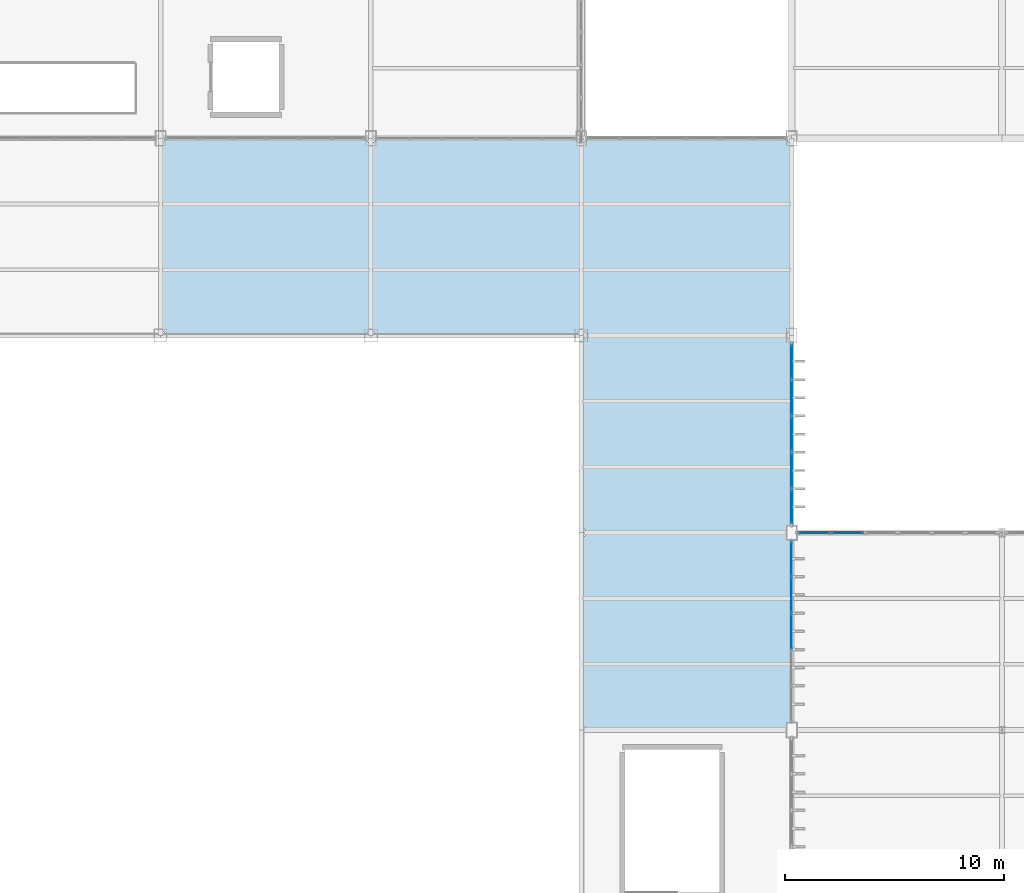
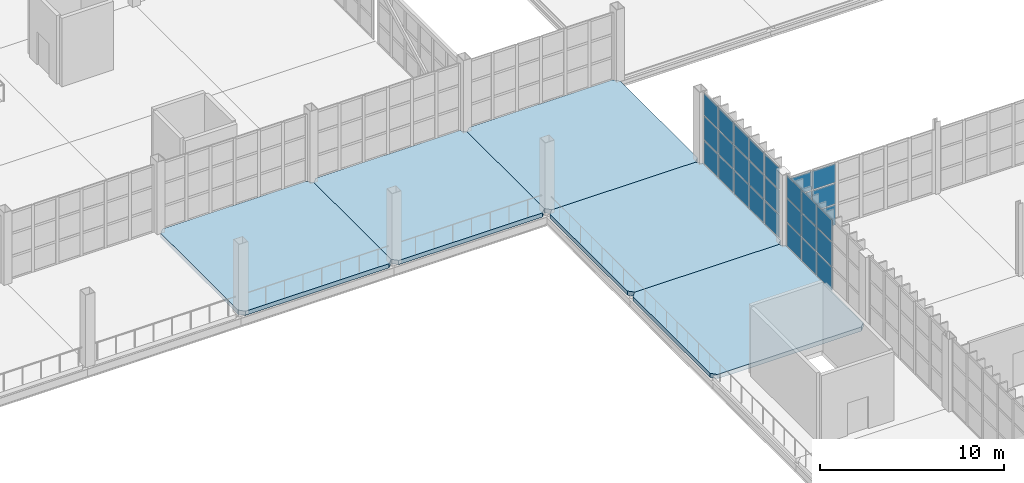
# One storey, part 80 of 120: 30 plates, 5 slabs, 3 elements without a shape of their own.
"""IFC4 building model written with IfcOpenShell, lengths in metres."""

import ifcopenshell
import ifcopenshell.guid

model = None  # the IFC model being written
_history = None  # IfcOwnerHistory: only IFC2X3 demands one
_inside = {}  # id of a spatial element -> (the spatial element, [elements in it])
_under = {}  # id of a project, library or spatial element -> (it, [spatial elements below it])
_declared = {}  # id of a project -> (the project, [libraries it declares])
_typed = {}  # id of a type object -> (the type object, [elements of that type])
_made_of = {}  # id of a material, layer set ... -> (it, [elements and type objects made of it])


def new_model(schema):
    """Start an empty IFC model of exactly this schema.

    Asked for "IFC4X3", IfcOpenShell would pick the latest addendum, in which some entities
    have other attributes; the version numbers below select the first issue.
    IFC2X3 requires an IfcOwnerHistory on every rooted entity: one is made here for all.
    """
    global model, _history
    if schema == "IFC4X3":
        model = ifcopenshell.file(schema_version=(4, 3, 0, 0))
    else:
        model = ifcopenshell.file(schema=schema)
    _inside.clear()
    _under.clear()
    _declared.clear()
    _typed.clear()
    _made_of.clear()
    _history = None
    if model.schema == "IFC2X3":
        org = make("IfcOrganization", Name="unknown")
        user = make(
            "IfcPersonAndOrganization",
            ThePerson=make("IfcPerson", FamilyName="unknown"),
            TheOrganization=org,
        )
        app = make(
            "IfcApplication",
            ApplicationDeveloper=org,
            Version="unknown",
            ApplicationFullName="unknown",
            ApplicationIdentifier="unknown",
        )
        _history = make(
            "IfcOwnerHistory",
            OwningUser=user,
            OwningApplication=app,
            ChangeAction="ADDED",
            CreationDate=0,
        )
    return model


def make(cls, **values):
    """One entity of the class cls with the attributes given. An attribute that is None is left unset."""
    return model.create_entity(
        cls, **{name: value for name, value in values.items() if value is not None}
    )


def rooted(cls, **values):
    """An entity with a GlobalId (a new one), such as an element, a storey or a relation."""
    return make(cls, GlobalId=ifcopenshell.guid.new(), OwnerHistory=_history, **values)


def si_unit(unit_type, name, prefix=None):
    """IfcSIUnit, for example si_unit("LENGTHUNIT", "METRE", prefix="MILLI")."""
    return make("IfcSIUnit", UnitType=unit_type, Prefix=prefix, Name=name)


def assignment(units):
    """IfcUnitAssignment: the units of a project."""
    return None if units is None else make("IfcUnitAssignment", Units=units)


def point(xyz):
    """IfcCartesianPoint."""
    return None if xyz is None else make("IfcCartesianPoint", Coordinates=xyz)


def direction(xyz):
    """IfcDirection."""
    return None if xyz is None else make("IfcDirection", DirectionRatios=xyz)


def frame(location, z_axis=None, x_axis=None):
    """IfcAxis2Placement3D, a coordinate frame: its origin and axes. An axis left out is left unset."""
    return make(
        "IfcAxis2Placement3D",
        Location=point(location),
        Axis=direction(z_axis),
        RefDirection=direction(x_axis),
    )


def frame_2d(location, x_axis=None):
    """IfcAxis2Placement2D, a coordinate frame in the plane: its origin and x axis."""
    return make(
        "IfcAxis2Placement2D", Location=point(location), RefDirection=direction(x_axis)
    )


def origin():
    """The frame at (0, 0, 0) with its axes left unset."""
    return frame((0.0, 0.0, 0.0))


def origin_2d():
    """The frame at (0, 0) in the plane with its x axis left unset."""
    return frame_2d((0.0, 0.0))


def place(relative_to, where):
    """IfcLocalPlacement: puts the frame where relative to a parent placement (None: the world)."""
    return make(
        "IfcLocalPlacement", PlacementRelTo=relative_to, RelativePlacement=where
    )


def context(
    kind, dimensions, precision=None, world=None, true_north=None, identifier=None
):
    """IfcGeometricRepresentationContext, for example the 3D "Model" context."""
    return make(
        "IfcGeometricRepresentationContext",
        ContextIdentifier=identifier,
        ContextType=kind,
        CoordinateSpaceDimension=dimensions,
        Precision=precision,
        WorldCoordinateSystem=world,
        TrueNorth=true_north,
    )


def subcontext(parent, identifier, kind, view, scale=None):
    """IfcGeometricRepresentationSubContext, for example "Body" below "Model"."""
    return make(
        "IfcGeometricRepresentationSubContext",
        ContextIdentifier=identifier,
        ContextType=kind,
        ParentContext=parent,
        TargetScale=scale,
        TargetView=view,
    )


def project(units=None, contexts=None):
    """IfcProject with its units and contexts."""
    return rooted(
        "IfcProject",
        Name="project",
        RepresentationContexts=contexts,
        UnitsInContext=assignment(units),
    )


def spatial(cls, under=None, at=None, **own):
    """A site, building, storey or space (cls), placed at a placement, below another one or the project."""
    s = rooted(cls, ObjectPlacement=at, **own)
    if under is not None:
        _under.setdefault(under.id(), (under, []))[1].append(s)
    return s


def polyline(points):
    """IfcPolyline through the points."""
    return make("IfcPolyline", Points=[point(p) for p in points])


def profile(cls, at=None, kind="AREA", **sizes):
    """A parametric profile (cls). Its sizes go by their IFC names, for example OverallWidth=200.0."""
    return make(cls, ProfileType=kind, Position=at, **sizes)


def rectangle(**sizes):
    """IfcRectangleProfileDef."""
    return profile("IfcRectangleProfileDef", **sizes)


def outline(outer, holes=None, kind="AREA"):
    """IfcArbitraryClosedProfileDef: a profile drawn as a closed curve; with holes, ...WithVoids."""
    if holes is None:
        return make("IfcArbitraryClosedProfileDef", ProfileType=kind, OuterCurve=outer)
    return make(
        "IfcArbitraryProfileDefWithVoids",
        ProfileType=kind,
        OuterCurve=outer,
        InnerCurves=holes,
    )


def extrude(swept, where, along, depth):
    """IfcExtrudedAreaSolid: the profile swept, set in the frame where, extruded along a direction by depth."""
    return make(
        "IfcExtrudedAreaSolid",
        SweptArea=swept,
        Position=where,
        ExtrudedDirection=direction(along),
        Depth=depth,
    )


def shape(context_of_items, identifier, shape_type, items):
    """IfcShapeRepresentation: the items that make up one representation, for example the "Body"."""
    return make(
        "IfcShapeRepresentation",
        ContextOfItems=context_of_items,
        RepresentationIdentifier=identifier,
        RepresentationType=shape_type,
        Items=items,
    )


def material(Name=None, Category=None):
    """IfcMaterial."""
    return make("IfcMaterial", Name=Name, Category=Category)


def layer(
    of_material, thickness, ventilated=None, Name=None, Category=None, Priority=None
):
    """IfcMaterialLayer: one layer of a wall or slab, of a material (None: an air gap)."""
    return make(
        "IfcMaterialLayer",
        Material=of_material,
        LayerThickness=thickness,
        IsVentilated=ventilated,
        Name=Name,
        Category=Category,
        Priority=Priority,
    )


def layer_set(layers, Name=None):
    """IfcMaterialLayerSet."""
    return make("IfcMaterialLayerSet", MaterialLayers=layers, LayerSetName=Name)


def made_of(thing, what):
    """Note that an element or type object is made of a material, layer set ...; save() writes the relation."""
    if what is not None:
        _made_of.setdefault(what.id(), (what, []))[1].append(thing)
    return thing


def type_object(cls, material=None, **own):
    """A type object (cls), such as IfcWallType, which elements share."""
    return made_of(rooted(cls, **own), material)


def element(
    cls,
    number,
    at=None,
    inside=None,
    cuts=None,
    type_object=None,
    material=None,
    context=None,
    identifier="Body",
    shape_type=None,
    held_by="IfcProductDefinitionShape",
    body=None,
    shapes=None,
    **own,
):
    """One element of the class cls, such as IfcWall. Its Tag is "e" and its number.

    at: its placement. inside: the storey or other place that contains it. cuts: it is an
    opening in that element (IfcRelVoidsElement). A single representation is given by context,
    identifier, shape_type and body (its items); several are given by shapes. held_by: the class
    of the entity that holds the representations. save() writes the other relations.
    """
    e = rooted(cls, Tag="e%d" % number, ObjectPlacement=at, **own)
    if body is not None:
        shapes = [shape(context, identifier, shape_type, body)]
    if shapes is not None:
        e.Representation = make(held_by, Representations=shapes)
    if inside is not None:
        _inside.setdefault(inside.id(), (inside, []))[1].append(e)
    if cuts is not None:
        rooted(
            "IfcRelVoidsElement", RelatingBuildingElement=cuts, RelatedOpeningElement=e
        )
    if type_object is not None:
        _typed.setdefault(type_object.id(), (type_object, []))[1].append(e)
    return made_of(e, material)


def aggregate(whole, parts):
    """IfcRelAggregates: a whole, such as a stair, and the parts it consists of."""
    return rooted("IfcRelAggregates", RelatingObject=whole, RelatedObjects=parts)


def save(model, path):
    """Write the relations noted so far, then the file.

    IfcRelAggregates (storeys below a building ...), IfcRelContainedInSpatialStructure (elements
    in a storey), IfcRelDefinesByType, IfcRelAssociatesMaterial and IfcRelDeclares: one each for
    every whole, place, type object, material and project.
    """
    for whole, parts in _under.values():
        aggregate(whole, parts)
    for where, things in _inside.values():
        rooted(
            "IfcRelContainedInSpatialStructure",
            RelatedElements=things,
            RelatingStructure=where,
        )
    for kind, things in _typed.values():
        rooted("IfcRelDefinesByType", RelatedObjects=things, RelatingType=kind)
    for what, things in _made_of.values():
        rooted("IfcRelAssociatesMaterial", RelatedObjects=things, RelatingMaterial=what)
    for by, libraries in _declared.values():
        rooted("IfcRelDeclares", RelatingContext=by, RelatedDefinitions=libraries)
    model.write(path)


model = new_model("IFC4")

# Units and contexts
model_context = context("Model", 3, precision=1e-05, world=origin(), true_north=direction((0.0, 1.0)))
body_context = subcontext(model_context, "Body", "Model", "MODEL_VIEW")
ifc_project = project(units=[si_unit("LENGTHUNIT", "METRE"), si_unit("AREAUNIT", "SQUARE_METRE"), si_unit("VOLUMEUNIT", "CUBIC_METRE"), si_unit("PLANEANGLEUNIT", "RADIAN"), si_unit("MASSUNIT", "GRAM", prefix="KILO")], contexts=[model_context])

# Site, building, storey
site_placement = place(None, origin())
site = spatial("IfcSite", under=ifc_project, at=site_placement, CompositionType="ELEMENT")
building_placement = place(site_placement, origin())
building = spatial("IfcBuilding", under=site, at=building_placement, Name="Zarnetskaya Central Station", CompositionType="ELEMENT")
storey_placement = place(building_placement, frame((0.0, 0.0, 5.39990234375)))
storey = spatial("IfcBuildingStorey", under=building, at=storey_placement, Name="L01", CompositionType="ELEMENT", Elevation=5.39990234375)

# Curtain wall, plates
ifc_material_1 = material(Name="Low-E insulated glass", Category="glass")
ifc_layer_1 = layer(ifc_material_1, 0.1640625, Name="Low-E insulated glass", Category="glass")
ifc_layer_set_1 = layer_set([ifc_layer_1], Name="Low-E insulated glass")
curtain_wall_type_1 = type_object("IfcCurtainWallType", Name="CW-SYS-17", PredefinedType="USERDEFINED", material=ifc_layer_set_1)
curtain_wall_1_placement = place(storey_placement, origin())
curtain_wall_1 = element("IfcCurtainWall", 1, at=curtain_wall_1_placement, inside=storey, type_object=curtain_wall_type_1, Name="Curtain wall CW-L01-095", ObjectType="CURTAIN WALL", PredefinedType="USERDEFINED")
ifc_layer_2 = layer(ifc_material_1, 0.028076171875, Name="Low-E insulated glass", Category="glass")
ifc_layer_set_2 = layer_set([ifc_layer_2], Name="Low-E insulated glass")
plate_type_1 = type_object("IfcPlateType", Name="CW-PAN-28", PredefinedType="CURTAIN_PANEL", material=ifc_layer_set_2)
plate_1_placement = place(storey_placement, frame((124.800048828125, 48.00244140625, 0.06982421875), z_axis=(0.0, 0.0, 1.0), x_axis=(0.0, -1.0, 0.0)))
plate_1 = element("IfcPlate", 2, at=plate_1_placement, type_object=plate_type_1, Name="CW-03 panel 1.1", PredefinedType="CURTAIN_PANEL", context=body_context, shape_type="SweptSolid", body=[
    extrude(rectangle(XDim=1.554931640625, YDim=0.028076171875, at=origin_2d()), origin(), (0.0, 0.0, 1.0), 1.527099609375),
])
plate_2_placement = place(storey_placement, frame((124.800048828125, 48.00244140625, 1.6669921875), z_axis=(0.0, 0.0, 1.0), x_axis=(0.0, -1.0, 0.0)))
plate_2 = element("IfcPlate", 3, at=plate_2_placement, type_object=plate_type_1, Name="CW-03 panel 1.2", PredefinedType="CURTAIN_PANEL", context=body_context, shape_type="SweptSolid", body=[
    extrude(rectangle(XDim=1.554931640625, YDim=0.028076171875, at=origin_2d()), origin(), (0.0, 0.0, 1.0), 1.56201171875),
])
plate_3_placement = place(storey_placement, frame((124.800048828125, 48.00244140625, 3.29931640625), z_axis=(0.0, 0.0, 1.0), x_axis=(0.0, -1.0, 0.0)))
plate_3 = element("IfcPlate", 4, at=plate_3_placement, type_object=plate_type_1, Name="CW-03 panel 1.3", PredefinedType="CURTAIN_PANEL", context=body_context, shape_type="SweptSolid", body=[
    extrude(rectangle(XDim=1.554931640625, YDim=0.028076171875, at=origin_2d()), origin(), (0.0, 0.0, 1.0), 1.430908203125),
])
plate_4_placement = place(storey_placement, frame((124.800048828125, 46.360107421875, 0.06982421875), z_axis=(0.0, 0.0, 1.0), x_axis=(0.0, -1.0, 0.0)))
plate_4 = element("IfcPlate", 5, at=plate_4_placement, type_object=plate_type_1, Name="CW-03 panel 2.1", PredefinedType="CURTAIN_PANEL", context=body_context, shape_type="SweptSolid", body=[
    extrude(rectangle(XDim=1.590087890625, YDim=0.028076171875, at=origin_2d()), origin(), (0.0, 0.0, 1.0), 1.527099609375),
])
plate_5_placement = place(storey_placement, frame((124.800048828125, 46.360107421875, 1.6669921875), z_axis=(0.0, 0.0, 1.0), x_axis=(0.0, -1.0, 0.0)))
plate_5 = element("IfcPlate", 6, at=plate_5_placement, type_object=plate_type_1, Name="CW-03 panel 2.2", PredefinedType="CURTAIN_PANEL", context=body_context, shape_type="SweptSolid", body=[
    extrude(rectangle(XDim=1.590087890625, YDim=0.028076171875, at=origin_2d()), origin(), (0.0, 0.0, 1.0), 1.56201171875),
])
plate_6_placement = place(storey_placement, frame((124.800048828125, 46.360107421875, 3.29931640625), z_axis=(0.0, 0.0, 1.0), x_axis=(0.0, -1.0, 0.0)))
plate_6 = element("IfcPlate", 7, at=plate_6_placement, type_object=plate_type_1, Name="CW-03 panel 2.3", PredefinedType="CURTAIN_PANEL", context=body_context, shape_type="SweptSolid", body=[
    extrude(rectangle(XDim=1.590087890625, YDim=0.028076171875, at=origin_2d()), origin(), (0.0, 0.0, 1.0), 1.430908203125),
])
plate_7_placement = place(storey_placement, frame((124.800048828125, 44.699951171875, 0.06982421875), z_axis=(0.0, 0.0, 1.0), x_axis=(0.0, -1.0, 0.0)))
plate_7 = element("IfcPlate", 8, at=plate_7_placement, type_object=plate_type_1, Name="CW-03 panel 3.1", PredefinedType="CURTAIN_PANEL", context=body_context, shape_type="SweptSolid", body=[
    extrude(rectangle(XDim=1.590087890625, YDim=0.028076171875, at=origin_2d()), origin(), (0.0, 0.0, 1.0), 1.527099609375),
])
plate_8_placement = place(storey_placement, frame((124.800048828125, 44.699951171875, 1.6669921875), z_axis=(0.0, 0.0, 1.0), x_axis=(0.0, -1.0, 0.0)))
plate_8 = element("IfcPlate", 9, at=plate_8_placement, type_object=plate_type_1, Name="CW-03 panel 3.2", PredefinedType="CURTAIN_PANEL", context=body_context, shape_type="SweptSolid", body=[
    extrude(rectangle(XDim=1.590087890625, YDim=0.028076171875, at=origin_2d()), origin(), (0.0, 0.0, 1.0), 1.56201171875),
])
plate_9_placement = place(storey_placement, frame((124.800048828125, 44.699951171875, 3.29931640625), z_axis=(0.0, 0.0, 1.0), x_axis=(0.0, -1.0, 0.0)))
plate_9 = element("IfcPlate", 10, at=plate_9_placement, type_object=plate_type_1, Name="CW-03 panel 3.3", PredefinedType="CURTAIN_PANEL", context=body_context, shape_type="SweptSolid", body=[
    extrude(rectangle(XDim=1.590087890625, YDim=0.028076171875, at=origin_2d()), origin(), (0.0, 0.0, 1.0), 1.430908203125),
])
aggregate(curtain_wall_1, [plate_1, plate_2, plate_3, plate_4, plate_5, plate_6, plate_7, plate_8, plate_9])

ifc_layer_3 = layer(ifc_material_1, 0.159912109375, Name="Low-E insulated glass", Category="glass")
ifc_layer_set_3 = layer_set([ifc_layer_3], Name="Low-E insulated glass")
curtain_wall_type_2 = type_object("IfcCurtainWallType", Name="CW-SYS-06", PredefinedType="USERDEFINED", material=ifc_layer_set_3)
curtain_wall_2_placement = place(storey_placement, origin())
curtain_wall_2 = element("IfcCurtainWall", 11, at=curtain_wall_2_placement, inside=storey, type_object=curtain_wall_type_2, Name="Curtain wall CW-L01-112", ObjectType="CURTAIN WALL", PredefinedType="USERDEFINED")
ifc_layer_4 = layer(ifc_material_1, 0.035888671875, Name="Low-E insulated glass", Category="glass")
ifc_layer_set_4 = layer_set([ifc_layer_4], Name="Low-E insulated glass")
plate_type_2 = type_object("IfcPlateType", Name="CW-PAN-36", PredefinedType="CURTAIN_PANEL", material=ifc_layer_set_4)
plate_10_placement = place(storey_placement, frame((125.836669921875, 49.199951171875, 0.080078125), z_axis=(0.0, 0.0, 1.0), x_axis=(1.0, 0.0, 0.0)))
plate_10 = element("IfcPlate", 12, at=plate_10_placement, type_object=plate_type_2, Name="CW-02 panel 1.1", PredefinedType="CURTAIN_PANEL", context=body_context, shape_type="SweptSolid", body=[
    extrude(rectangle(XDim=1.413330078125, YDim=0.035888671875, at=origin_2d()), origin(), (0.0, 0.0, 1.0), 1.30810546875),
])
plate_11_placement = place(storey_placement, frame((125.836669921875, 49.199951171875, 1.46826171875), z_axis=(0.0, 0.0, 1.0), x_axis=(1.0, 0.0, 0.0)))
plate_11 = element("IfcPlate", 13, at=plate_11_placement, type_object=plate_type_2, Name="CW-02 panel 1.2", PredefinedType="CURTAIN_PANEL", context=body_context, shape_type="SweptSolid", body=[
    extrude(rectangle(XDim=1.413330078125, YDim=0.035888671875, at=origin_2d()), origin(), (0.0, 0.0, 1.0), 1.347900390625),
])
plate_12_placement = place(storey_placement, frame((125.836669921875, 49.199951171875, 2.89599609375), z_axis=(0.0, 0.0, 1.0), x_axis=(1.0, 0.0, 0.0)))
plate_12 = element("IfcPlate", 14, at=plate_12_placement, type_object=plate_type_2, Name="CW-02 panel 1.3", PredefinedType="CURTAIN_PANEL", context=body_context, shape_type="SweptSolid", body=[
    extrude(rectangle(XDim=1.413330078125, YDim=0.035888671875, at=origin_2d()), origin(), (0.0, 0.0, 1.0), 1.22412109375),
])
plate_13_placement = place(storey_placement, frame((127.35009765625, 49.199951171875, 0.080078125), z_axis=(0.0, 0.0, 1.0), x_axis=(1.0, 0.0, 0.0)))
plate_13 = element("IfcPlate", 15, at=plate_13_placement, type_object=plate_type_2, Name="CW-02 panel 2.1", PredefinedType="CURTAIN_PANEL", context=body_context, shape_type="SweptSolid", body=[
    extrude(rectangle(XDim=1.453369140625, YDim=0.035888671875, at=origin_2d()), origin(), (0.0, 0.0, 1.0), 1.30810546875),
])
plate_14_placement = place(storey_placement, frame((127.35009765625, 49.199951171875, 1.46826171875), z_axis=(0.0, 0.0, 1.0), x_axis=(1.0, 0.0, 0.0)))
plate_14 = element("IfcPlate", 16, at=plate_14_placement, type_object=plate_type_2, Name="CW-02 panel 2.2", PredefinedType="CURTAIN_PANEL", context=body_context, shape_type="SweptSolid", body=[
    extrude(rectangle(XDim=1.453369140625, YDim=0.035888671875, at=origin_2d()), origin(), (0.0, 0.0, 1.0), 1.347900390625),
])
plate_15_placement = place(storey_placement, frame((127.35009765625, 49.199951171875, 2.89599609375), z_axis=(0.0, 0.0, 1.0), x_axis=(1.0, 0.0, 0.0)))
plate_15 = element("IfcPlate", 17, at=plate_15_placement, type_object=plate_type_2, Name="CW-02 panel 2.3", PredefinedType="CURTAIN_PANEL", context=body_context, shape_type="SweptSolid", body=[
    extrude(rectangle(XDim=1.453369140625, YDim=0.035888671875, at=origin_2d()), origin(), (0.0, 0.0, 1.0), 1.22412109375),
])
aggregate(curtain_wall_2, [plate_10, plate_11, plate_12, plate_13, plate_14, plate_15])

curtain_wall_3_placement = place(storey_placement, origin())
curtain_wall_3 = element("IfcCurtainWall", 18, at=curtain_wall_3_placement, inside=storey, type_object=curtain_wall_type_1, Name="Curtain wall CW-L01-098", ObjectType="CURTAIN WALL", PredefinedType="USERDEFINED")
ifc_layer_5 = layer(ifc_material_1, 0.0400390625, Name="Low-E insulated glass", Category="glass")
ifc_layer_set_5 = layer_set([ifc_layer_5], Name="Low-E insulated glass")
plate_type_3 = type_object("IfcPlateType", Name="CW-PAN-40", PredefinedType="CURTAIN_PANEL", material=ifc_layer_set_5)
plate_16_placement = place(storey_placement, frame((124.800048828125, 57.0, 0.080078125), z_axis=(0.0, 0.0, 1.0), x_axis=(0.0, -1.0, 0.0)))
plate_16 = element("IfcPlate", 19, at=plate_16_placement, type_object=plate_type_3, Name="CW-03 panel 1.1", PredefinedType="CURTAIN_PANEL", context=body_context, shape_type="SweptSolid", body=[
    extrude(rectangle(XDim=1.5400390625, YDim=0.0400390625, at=origin_2d()), origin(), (0.0, 0.0, 1.0), 1.511962890625),
])
plate_17_placement = place(storey_placement, frame((124.800048828125, 57.0, 1.671875), z_axis=(0.0, 0.0, 1.0), x_axis=(0.0, -1.0, 0.0)))
plate_17 = element("IfcPlate", 20, at=plate_17_placement, type_object=plate_type_3, Name="CW-03 panel 1.2", PredefinedType="CURTAIN_PANEL", context=body_context, shape_type="SweptSolid", body=[
    extrude(rectangle(XDim=1.5400390625, YDim=0.0400390625, at=origin_2d()), origin(), (0.0, 0.0, 1.0), 1.552001953125),
])
plate_18_placement = place(storey_placement, frame((124.800048828125, 57.0, 3.30419921875), z_axis=(0.0, 0.0, 1.0), x_axis=(0.0, -1.0, 0.0)))
plate_18 = element("IfcPlate", 21, at=plate_18_placement, type_object=plate_type_3, Name="CW-03 panel 1.3", PredefinedType="CURTAIN_PANEL", context=body_context, shape_type="SweptSolid", body=[
    extrude(rectangle(XDim=1.5400390625, YDim=0.0400390625, at=origin_2d()), origin(), (0.0, 0.0, 1.0), 1.416015625),
])
plate_19_placement = place(storey_placement, frame((124.800048828125, 55.360107421875, 0.080078125), z_axis=(0.0, 0.0, 1.0), x_axis=(0.0, -1.0, 0.0)))
plate_19 = element("IfcPlate", 22, at=plate_19_placement, type_object=plate_type_3, Name="CW-03 panel 2.1", PredefinedType="CURTAIN_PANEL", context=body_context, shape_type="SweptSolid", body=[
    extrude(rectangle(XDim=1.580078125, YDim=0.0400390625, at=origin_2d()), origin(), (0.0, 0.0, 1.0), 1.511962890625),
])
plate_20_placement = place(storey_placement, frame((124.800048828125, 55.360107421875, 1.671875), z_axis=(0.0, 0.0, 1.0), x_axis=(0.0, -1.0, 0.0)))
plate_20 = element("IfcPlate", 23, at=plate_20_placement, type_object=plate_type_3, Name="CW-03 panel 2.2", PredefinedType="CURTAIN_PANEL", context=body_context, shape_type="SweptSolid", body=[
    extrude(rectangle(XDim=1.580078125, YDim=0.0400390625, at=origin_2d()), origin(), (0.0, 0.0, 1.0), 1.552001953125),
])
plate_21_placement = place(storey_placement, frame((124.800048828125, 55.360107421875, 3.30419921875), z_axis=(0.0, 0.0, 1.0), x_axis=(0.0, -1.0, 0.0)))
plate_21 = element("IfcPlate", 24, at=plate_21_placement, type_object=plate_type_3, Name="CW-03 panel 2.3", PredefinedType="CURTAIN_PANEL", context=body_context, shape_type="SweptSolid", body=[
    extrude(rectangle(XDim=1.580078125, YDim=0.0400390625, at=origin_2d()), origin(), (0.0, 0.0, 1.0), 1.416015625),
])
plate_22_placement = place(storey_placement, frame((124.800048828125, 53.699951171875, 0.080078125), z_axis=(0.0, 0.0, 1.0), x_axis=(0.0, -1.0, 0.0)))
plate_22 = element("IfcPlate", 25, at=plate_22_placement, type_object=plate_type_3, Name="CW-03 panel 3.1", PredefinedType="CURTAIN_PANEL", context=body_context, shape_type="SweptSolid", body=[
    extrude(rectangle(XDim=1.580078125, YDim=0.0400390625, at=origin_2d()), origin(), (0.0, 0.0, 1.0), 1.511962890625),
])
plate_23_placement = place(storey_placement, frame((124.800048828125, 53.699951171875, 1.671875), z_axis=(0.0, 0.0, 1.0), x_axis=(0.0, -1.0, 0.0)))
plate_23 = element("IfcPlate", 26, at=plate_23_placement, type_object=plate_type_3, Name="CW-03 panel 3.2", PredefinedType="CURTAIN_PANEL", context=body_context, shape_type="SweptSolid", body=[
    extrude(rectangle(XDim=1.580078125, YDim=0.0400390625, at=origin_2d()), origin(), (0.0, 0.0, 1.0), 1.552001953125),
])
plate_24_placement = place(storey_placement, frame((124.800048828125, 53.699951171875, 3.30419921875), z_axis=(0.0, 0.0, 1.0), x_axis=(0.0, -1.0, 0.0)))
plate_24 = element("IfcPlate", 27, at=plate_24_placement, type_object=plate_type_3, Name="CW-03 panel 3.3", PredefinedType="CURTAIN_PANEL", context=body_context, shape_type="SweptSolid", body=[
    extrude(rectangle(XDim=1.580078125, YDim=0.0400390625, at=origin_2d()), origin(), (0.0, 0.0, 1.0), 1.416015625),
])
plate_25_placement = place(storey_placement, frame((124.800048828125, 52.0400390625, 0.080078125), z_axis=(0.0, 0.0, 1.0), x_axis=(0.0, -1.0, 0.0)))
plate_25 = element("IfcPlate", 28, at=plate_25_placement, type_object=plate_type_3, Name="CW-03 panel 4.1", PredefinedType="CURTAIN_PANEL", context=body_context, shape_type="SweptSolid", body=[
    extrude(rectangle(XDim=1.580078125, YDim=0.0400390625, at=origin_2d()), origin(), (0.0, 0.0, 1.0), 1.511962890625),
])
plate_26_placement = place(storey_placement, frame((124.800048828125, 52.0400390625, 1.671875), z_axis=(0.0, 0.0, 1.0), x_axis=(0.0, -1.0, 0.0)))
plate_26 = element("IfcPlate", 29, at=plate_26_placement, type_object=plate_type_3, Name="CW-03 panel 4.2", PredefinedType="CURTAIN_PANEL", context=body_context, shape_type="SweptSolid", body=[
    extrude(rectangle(XDim=1.580078125, YDim=0.0400390625, at=origin_2d()), origin(), (0.0, 0.0, 1.0), 1.552001953125),
])
plate_27_placement = place(storey_placement, frame((124.800048828125, 52.0400390625, 3.30419921875), z_axis=(0.0, 0.0, 1.0), x_axis=(0.0, -1.0, 0.0)))
plate_27 = element("IfcPlate", 30, at=plate_27_placement, type_object=plate_type_3, Name="CW-03 panel 4.3", PredefinedType="CURTAIN_PANEL", context=body_context, shape_type="SweptSolid", body=[
    extrude(rectangle(XDim=1.580078125, YDim=0.0400390625, at=origin_2d()), origin(), (0.0, 0.0, 1.0), 1.416015625),
])
plate_28_placement = place(storey_placement, frame((124.800048828125, 50.39990234375, 0.080078125), z_axis=(0.0, 0.0, 1.0), x_axis=(0.0, -1.0, 0.0)))
plate_28 = element("IfcPlate", 31, at=plate_28_placement, type_object=plate_type_3, Name="CW-03 panel 5.1", PredefinedType="CURTAIN_PANEL", context=body_context, shape_type="SweptSolid", body=[
    extrude(rectangle(XDim=1.5400390625, YDim=0.0400390625, at=origin_2d()), origin(), (0.0, 0.0, 1.0), 1.511962890625),
])
plate_29_placement = place(storey_placement, frame((124.800048828125, 50.39990234375, 1.671875), z_axis=(0.0, 0.0, 1.0), x_axis=(0.0, -1.0, 0.0)))
plate_29 = element("IfcPlate", 32, at=plate_29_placement, type_object=plate_type_3, Name="CW-03 panel 5.2", PredefinedType="CURTAIN_PANEL", context=body_context, shape_type="SweptSolid", body=[
    extrude(rectangle(XDim=1.5400390625, YDim=0.0400390625, at=origin_2d()), origin(), (0.0, 0.0, 1.0), 1.552001953125),
])
plate_30_placement = place(storey_placement, frame((124.800048828125, 50.39990234375, 3.30419921875), z_axis=(0.0, 0.0, 1.0), x_axis=(0.0, -1.0, 0.0)))
plate_30 = element("IfcPlate", 33, at=plate_30_placement, type_object=plate_type_3, Name="CW-03 panel 5.3", PredefinedType="CURTAIN_PANEL", context=body_context, shape_type="SweptSolid", body=[
    extrude(rectangle(XDim=1.5400390625, YDim=0.0400390625, at=origin_2d()), origin(), (0.0, 0.0, 1.0), 1.416015625),
])
aggregate(curtain_wall_3, [plate_16, plate_17, plate_18, plate_19, plate_20, plate_21, plate_22, plate_23, plate_24, plate_25, plate_26, plate_27, plate_28, plate_29, plate_30])

# Slabs
ifc_material_2 = material(Name="Concrete C30/37", Category="concrete")
ifc_layer_6 = layer(ifc_material_2, 0.280029296875, Name="Concrete C30/37", Category="concrete")
ifc_layer_set_6 = layer_set([ifc_layer_6], Name="Concrete C30/37")
slab_type = type_object("IfcSlabType", Name="SLAB-BRG-280", PredefinedType="FLOOR", material=ifc_layer_set_6)
slab_1_placement = place(storey_placement, frame((0.0, 0.0, -0.27978515625)))
element("IfcSlab", 34, at=slab_1_placement, inside=storey, type_object=slab_type, Name="L01 slab L-M/8-9", PredefinedType="FLOOR", context=body_context, shape_type="SweptSolid", body=[
    extrude(outline(polyline([(96.300048828125, 58.199951171875), (105.300048828125, 58.199951171875), (105.60009765625, 58.5), (105.60009765625, 66.89990234375), (105.300048828125, 67.199951171875), (96.300048828125, 67.199951171875), (96.0, 66.89990234375), (96.0, 58.5), (96.300048828125, 58.199951171875)])), origin(), (0.0, 0.0, 1.0), 0.27978515625),
])
slab_2_placement = place(storey_placement, frame((0.0, 0.0, -0.27978515625)))
element("IfcSlab", 35, at=slab_2_placement, inside=storey, type_object=slab_type, Name="L01 slab M-N/8-9", PredefinedType="FLOOR", context=body_context, shape_type="SweptSolid", body=[
    extrude(outline(polyline([(105.89990234375, 58.199951171875), (114.89990234375, 58.199951171875), (115.199951171875, 58.5), (115.199951171875, 66.89990234375), (114.89990234375, 67.199951171875), (105.89990234375, 67.199951171875), (105.60009765625, 66.89990234375), (105.60009765625, 58.5), (105.89990234375, 58.199951171875)])), origin(), (0.0, 0.0, 1.0), 0.27978515625),
])
slab_3_placement = place(storey_placement, frame((0.0, 0.0, -0.27978515625)))
element("IfcSlab", 36, at=slab_3_placement, inside=storey, type_object=slab_type, Name="L01 slab N-P/6-7", PredefinedType="FLOOR", context=body_context, shape_type="SweptSolid", body=[
    extrude(outline(polyline([(115.5, 40.199951171875), (124.5, 40.199951171875), (124.800048828125, 40.5), (124.800048828125, 48.89990234375), (124.5, 49.199951171875), (115.5, 49.199951171875), (115.199951171875, 48.89990234375), (115.199951171875, 40.5), (115.5, 40.199951171875)])), origin(), (0.0, 0.0, 1.0), 0.27978515625),
])
slab_4_placement = place(storey_placement, frame((0.0, 0.0, -0.27978515625)))
element("IfcSlab", 37, at=slab_4_placement, inside=storey, type_object=slab_type, Name="L01 slab N-P/7-8", PredefinedType="FLOOR", context=body_context, shape_type="SweptSolid", body=[
    extrude(outline(polyline([(115.5, 49.199951171875), (124.5, 49.199951171875), (124.800048828125, 49.5), (124.800048828125, 57.89990234375), (124.5, 58.199951171875), (115.5, 58.199951171875), (115.199951171875, 57.89990234375), (115.199951171875, 49.5), (115.5, 49.199951171875)])), origin(), (0.0, 0.0, 1.0), 0.27978515625),
])
slab_5_placement = place(storey_placement, frame((0.0, 0.0, -0.27978515625)))
element("IfcSlab", 38, at=slab_5_placement, inside=storey, type_object=slab_type, Name="L01 slab N-P/8-9", PredefinedType="FLOOR", context=body_context, shape_type="SweptSolid", body=[
    extrude(outline(polyline([(115.5, 58.199951171875), (124.5, 58.199951171875), (124.800048828125, 58.5), (124.800048828125, 66.89990234375), (124.5, 67.199951171875), (115.5, 67.199951171875), (115.199951171875, 66.89990234375), (115.199951171875, 58.5), (115.5, 58.199951171875)])), origin(), (0.0, 0.0, 1.0), 0.27978515625),
])

save(model, "model.ifc")
